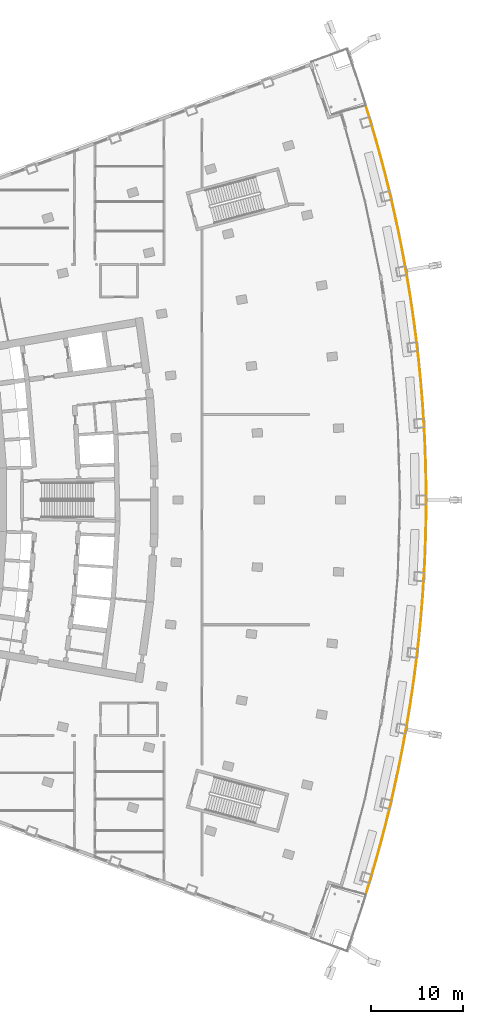
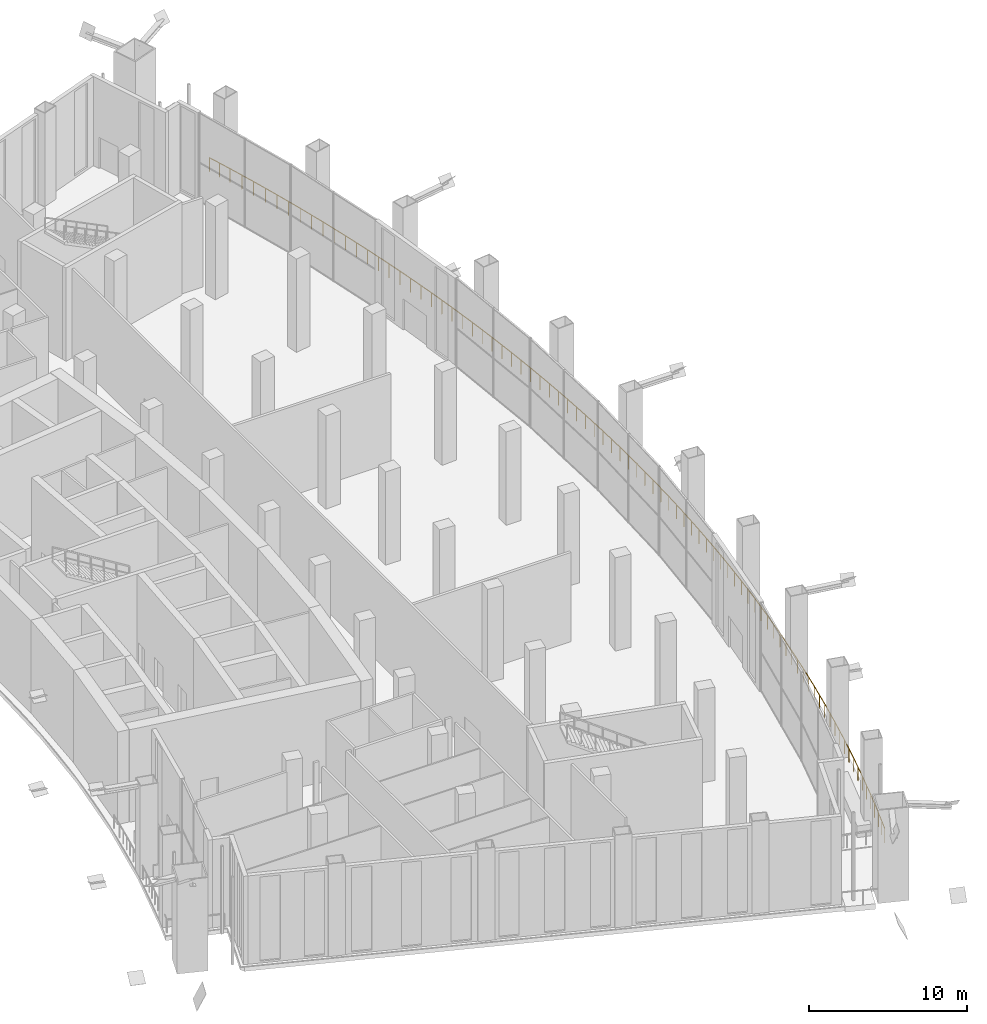
# One storey, part 25 of 27: 1 railing.
"""IFC4 building model written with IfcOpenShell, lengths in metres."""

from ifc_helpers import new_model, si_unit, direction, frame, origin, origin_2d, place, context, subcontext, project, spatial, rectangle, extrude, material, type_object, element, save


model = new_model("IFC4")

# Units and contexts
model_context = context("Model", 3, precision=1e-05, world=origin(), true_north=direction((0.0, 1.0)))
body_context = subcontext(model_context, "Body", "Model", "MODEL_VIEW")
ifc_project = project(units=[si_unit("LENGTHUNIT", "METRE"), si_unit("AREAUNIT", "SQUARE_METRE"), si_unit("VOLUMEUNIT", "CUBIC_METRE"), si_unit("PLANEANGLEUNIT", "RADIAN"), si_unit("MASSUNIT", "GRAM", prefix="KILO")], contexts=[model_context])

# Site, building, storey
site_placement = place(None, origin())
site = spatial("IfcSite", under=ifc_project, at=site_placement, CompositionType="ELEMENT")
building_placement = place(site_placement, origin())
building = spatial("IfcBuilding", under=site, at=building_placement, Name="Alderwake Tower", CompositionType="ELEMENT")
storey_placement = place(building_placement, frame((0.0, 0.0, 75.199951171875)))
storey = spatial("IfcBuildingStorey", under=building, at=storey_placement, Name="L18", CompositionType="ELEMENT", Elevation=75.199951171875)

# Railing
ifc_material = material(Name="Stainless steel 316 rail and posts", Category="steel")
railing_type = type_object("IfcRailingType", Name="Balcony guard 1100", PredefinedType="GUARDRAIL", material=ifc_material)
railing_placement = place(storey_placement, frame((56.102783203125, 18.279296875, 0.0)))
element("IfcRailing", 1, at=railing_placement, inside=storey, type_object=railing_type, Name="Guard garden terrace front", PredefinedType="GUARDRAIL", context=body_context, shape_type="SweptSolid", body=[
    extrude(rectangle(XDim=0.048095703125, YDim=0.048095703125, at=origin_2d()), frame((0.0, 0.0, 1.076171875), z_axis=(0.293469050431, 0.955968575027, 0.0), x_axis=(-0.955968575027, 0.293469050431, 0.0)), (0.0, 0.0, 1.0), 1.7802734375),
    extrude(rectangle(XDim=0.048095703125, YDim=0.048095703125, at=origin_2d()), frame((0.5224609375, 1.701904296875, 1.076171875), z_axis=(0.28062188666, 0.959818397785, 0.0), x_axis=(-0.959818397785, 0.28062188666, 0.0)), (0.0, 0.0, 1.0), 2.080078125),
    extrude(rectangle(XDim=0.048095703125, YDim=0.048095703125, at=origin_2d()), frame((1.106201171875, 3.698486328125, 1.076171875), z_axis=(0.266511831288, 0.963831647013, 0.0), x_axis=(-0.963831647013, 0.266511831288, 0.0)), (0.0, 0.0, 1.0), 2.080322265625),
    extrude(rectangle(XDim=0.048095703125, YDim=0.048095703125, at=origin_2d()), frame((1.66064453125, 5.70361328125, 1.076171875), z_axis=(0.252436229288, 0.967613533464, 0.0), x_axis=(-0.967613533464, 0.252436229288, 0.0)), (0.0, 0.0, 1.0), 2.080322265625),
    extrude(rectangle(XDim=0.048095703125, YDim=0.048095703125, at=origin_2d()), frame((2.185791015625, 7.716552734375, 1.076171875), z_axis=(0.238252859414, 0.971203158449, 0.0), x_axis=(-0.971203158449, 0.238252859414, 0.0)), (0.0, 0.0, 1.0), 2.080078125),
    extrude(rectangle(XDim=0.048095703125, YDim=0.048095703125, at=origin_2d()), frame((2.681396484375, 9.73681640625, 1.076171875), z_axis=(0.224130975338, 0.974559031508, 0.0), x_axis=(-0.974559031508, 0.224130975338, 0.0)), (0.0, 0.0, 1.0), 2.08056640625),
    extrude(rectangle(XDim=0.048095703125, YDim=0.048095703125, at=origin_2d()), frame((3.147705078125, 11.764404296875, 1.076171875), z_axis=(0.209977941774, 0.97770612352, 0.0), x_axis=(-0.97770612352, 0.209977941774, 0.0)), (0.0, 0.0, 1.0), 2.080078125),
    extrude(rectangle(XDim=0.048095703125, YDim=0.048095703125, at=origin_2d()), frame((3.58447265625, 13.798095703125, 1.076171875), z_axis=(0.195506774748, 0.980702350883, 0.0), x_axis=(-0.980702350883, 0.195506774748, 0.0)), (0.0, 0.0, 1.0), 2.080322265625),
    extrude(rectangle(XDim=0.048095703125, YDim=0.048095703125, at=origin_2d()), frame((3.9912109375, 15.83837890625, 1.076171875), z_axis=(0.181311772603, 0.983425666289, 0.0), x_axis=(-0.983425666289, 0.181311772603, 0.0)), (0.0, 0.0, 1.0), 2.080322265625),
    extrude(rectangle(XDim=0.048095703125, YDim=0.048095703125, at=origin_2d()), frame((4.368408203125, 17.88427734375, 1.076171875), z_axis=(0.167005746619, 0.985955922238, 0.0), x_axis=(-0.985955922238, 0.167005746619, 0.0)), (0.0, 0.0, 1.0), 2.080322265625),
    extrude(rectangle(XDim=0.048095703125, YDim=0.048095703125, at=origin_2d()), frame((4.7158203125, 19.935302734375, 1.076171875), z_axis=(0.15245403401, 0.98831056228, 0.0), x_axis=(-0.98831056228, 0.15245403401, 0.0)), (0.0, 0.0, 1.0), 2.080322265625),
    extrude(rectangle(XDim=0.048095703125, YDim=0.048095703125, at=origin_2d()), frame((5.032958984375, 21.9912109375, 1.076171875), z_axis=(0.138134455783, 0.990413485432, 0.0), x_axis=(-0.990413485432, 0.138134455783, 0.0)), (0.0, 0.0, 1.0), 2.080322265625),
    extrude(rectangle(XDim=0.048095703125, YDim=0.048095703125, at=origin_2d()), frame((5.3203125, 24.051513671875, 1.076171875), z_axis=(0.12368808984, 0.992321145815, 0.0), x_axis=(-0.992321145815, 0.12368808984, 0.0)), (0.0, 0.0, 1.0), 2.080322265625),
    extrude(rectangle(XDim=0.048095703125, YDim=0.048095703125, at=origin_2d()), frame((5.57763671875, 26.115966796875, 1.076171875), z_axis=(0.10914335285, 0.994026020046, 0.0), x_axis=(-0.994026020046, 0.10914335285, 0.0)), (0.0, 0.0, 1.0), 2.080322265625),
    extrude(rectangle(XDim=0.048095703125, YDim=0.048095703125, at=origin_2d()), frame((5.8046875, 28.183837890625, 1.076171875), z_axis=(0.094598619329, 0.995515495219, 0.0), x_axis=(-0.995515495219, 0.094598619329, 0.0)), (0.0, 0.0, 1.0), 2.080078125),
    extrude(rectangle(XDim=0.048095703125, YDim=0.048095703125, at=origin_2d()), frame((6.00146484375, 30.254638671875, 1.076171875), z_axis=(0.080151001494, 0.996782733077, 0.0), x_axis=(-0.996782733077, 0.080151001494, 0.0)), (0.0, 0.0, 1.0), 2.080322265625),
    extrude(rectangle(XDim=0.048095703125, YDim=0.048095703125, at=origin_2d()), frame((6.168212890625, 32.328369140625, 1.076171875), z_axis=(0.065599896259, 0.997846006962, 0.0), x_axis=(-0.997846006962, 0.065599896259, 0.0)), (0.0, 0.0, 1.0), 2.080322265625),
    extrude(rectangle(XDim=0.048095703125, YDim=0.048095703125, at=origin_2d()), frame((6.3046875, 34.404296875, 1.076171875), z_axis=(0.050938603292, 0.998701786668, 0.0), x_axis=(-0.998701786668, 0.050938603292, 0.0)), (0.0, 0.0, 1.0), 2.080078125),
    extrude(rectangle(XDim=0.048095703125, YDim=0.048095703125, at=origin_2d()), frame((6.41064453125, 36.481689453125, 1.076171875), z_axis=(0.036495164514, 0.999333829592, 0.0), x_axis=(-0.999333829592, 0.036495164514, 0.0)), (0.0, 0.0, 1.0), 2.08056640625),
    extrude(rectangle(XDim=0.048095703125, YDim=0.048095703125, at=origin_2d()), frame((6.486572265625, 38.560791015625, 1.076171875), z_axis=(0.02182834633, 0.999761733263, 0.0), x_axis=(-0.999761733263, 0.02182834633, 0.0)), (0.0, 0.0, 1.0), 2.080322265625),
    extrude(rectangle(XDim=0.048095703125, YDim=0.048095703125, at=origin_2d()), frame((6.531982421875, 40.640625, 1.076171875), z_axis=(0.007276802637, 0.999973523721, 0.0), x_axis=(-0.999973523721, 0.007276802637, 0.0)), (0.0, 0.0, 1.0), 2.080078125),
    extrude(rectangle(XDim=0.048095703125, YDim=0.048095703125, at=origin_2d()), frame((6.547119140625, 42.720703125, 1.076171875), z_axis=(-0.007276802637, 0.999973523721, 0.0), x_axis=(-0.999973523721, -0.007276802637, 0.0)), (0.0, 0.0, 1.0), 2.080078125),
    extrude(rectangle(XDim=0.048095703125, YDim=0.048095703125, at=origin_2d()), frame((6.531982421875, 44.80078125, 1.076171875), z_axis=(-0.02182834633, 0.999761733263, 0.0), x_axis=(-0.999761733263, -0.02182834633, 0.0)), (0.0, 0.0, 1.0), 2.080322265625),
    extrude(rectangle(XDim=0.048095703125, YDim=0.048095703125, at=origin_2d()), frame((6.486572265625, 46.880615234375, 1.076171875), z_axis=(-0.036495164514, 0.999333829592, 0.0), x_axis=(-0.999333829592, -0.036495164514, 0.0)), (0.0, 0.0, 1.0), 2.08056640625),
    extrude(rectangle(XDim=0.048095703125, YDim=0.048095703125, at=origin_2d()), frame((6.41064453125, 48.959716796875, 1.076171875), z_axis=(-0.050938603292, 0.998701786668, 0.0), x_axis=(-0.998701786668, -0.050938603292, 0.0)), (0.0, 0.0, 1.0), 2.080078125),
    extrude(rectangle(XDim=0.048095703125, YDim=0.048095703125, at=origin_2d()), frame((6.3046875, 51.037109375, 1.076171875), z_axis=(-0.065599896259, 0.997846006962, 0.0), x_axis=(-0.997846006962, -0.065599896259, 0.0)), (0.0, 0.0, 1.0), 2.080322265625),
    extrude(rectangle(XDim=0.048095703125, YDim=0.048095703125, at=origin_2d()), frame((6.168212890625, 53.113037109375, 1.076171875), z_axis=(-0.080151001494, 0.996782733077, 0.0), x_axis=(-0.996782733077, -0.080151001494, 0.0)), (0.0, 0.0, 1.0), 2.080322265625),
    extrude(rectangle(XDim=0.048095703125, YDim=0.048095703125, at=origin_2d()), frame((6.00146484375, 55.186767578125, 1.076171875), z_axis=(-0.094598619329, 0.995515495219, 0.0), x_axis=(-0.995515495219, -0.094598619329, 0.0)), (0.0, 0.0, 1.0), 2.080078125),
    extrude(rectangle(XDim=0.048095703125, YDim=0.048095703125, at=origin_2d()), frame((5.8046875, 57.257568359375, 1.076171875), z_axis=(-0.10914335285, 0.994026020046, 0.0), x_axis=(-0.994026020046, -0.10914335285, 0.0)), (0.0, 0.0, 1.0), 2.080322265625),
    extrude(rectangle(XDim=0.048095703125, YDim=0.048095703125, at=origin_2d()), frame((5.57763671875, 59.325439453125, 1.076171875), z_axis=(-0.12368808984, 0.992321145815, 0.0), x_axis=(-0.992321145815, -0.12368808984, 0.0)), (0.0, 0.0, 1.0), 2.080322265625),
    extrude(rectangle(XDim=0.048095703125, YDim=0.048095703125, at=origin_2d()), frame((5.3203125, 61.389892578125, 1.076171875), z_axis=(-0.138134455783, 0.990413485432, 0.0), x_axis=(-0.990413485432, -0.138134455783, 0.0)), (0.0, 0.0, 1.0), 2.080322265625),
    extrude(rectangle(XDim=0.048095703125, YDim=0.048095703125, at=origin_2d()), frame((5.032958984375, 63.4501953125, 1.076171875), z_axis=(-0.15245403401, 0.98831056228, 0.0), x_axis=(-0.98831056228, -0.15245403401, 0.0)), (0.0, 0.0, 1.0), 2.080322265625),
    extrude(rectangle(XDim=0.048095703125, YDim=0.048095703125, at=origin_2d()), frame((4.7158203125, 65.506103515625, 1.076171875), z_axis=(-0.167005746619, 0.985955922238, 0.0), x_axis=(-0.985955922238, -0.167005746619, 0.0)), (0.0, 0.0, 1.0), 2.080322265625),
    extrude(rectangle(XDim=0.048095703125, YDim=0.048095703125, at=origin_2d()), frame((4.368408203125, 67.55712890625, 1.076171875), z_axis=(-0.181311772603, 0.983425666289, 0.0), x_axis=(-0.983425666289, -0.181311772603, 0.0)), (0.0, 0.0, 1.0), 2.080322265625),
    extrude(rectangle(XDim=0.048095703125, YDim=0.048095703125, at=origin_2d()), frame((3.9912109375, 69.60302734375, 1.076171875), z_axis=(-0.195506774748, 0.980702350883, 0.0), x_axis=(-0.980702350883, -0.195506774748, 0.0)), (0.0, 0.0, 1.0), 2.080322265625),
    extrude(rectangle(XDim=0.048095703125, YDim=0.048095703125, at=origin_2d()), frame((3.58447265625, 71.643310546875, 1.076171875), z_axis=(-0.209977941774, 0.97770612352, 0.0), x_axis=(-0.97770612352, -0.209977941774, 0.0)), (0.0, 0.0, 1.0), 2.080078125),
    extrude(rectangle(XDim=0.048095703125, YDim=0.048095703125, at=origin_2d()), frame((3.147705078125, 73.677001953125, 1.076171875), z_axis=(-0.224130975338, 0.974559031508, 0.0), x_axis=(-0.974559031508, -0.224130975338, 0.0)), (0.0, 0.0, 1.0), 2.08056640625),
    extrude(rectangle(XDim=0.048095703125, YDim=0.048095703125, at=origin_2d()), frame((2.681396484375, 75.70458984375, 1.076171875), z_axis=(-0.238252859414, 0.971203158449, 0.0), x_axis=(-0.971203158449, -0.238252859414, 0.0)), (0.0, 0.0, 1.0), 2.080078125),
    extrude(rectangle(XDim=0.048095703125, YDim=0.048095703125, at=origin_2d()), frame((2.185791015625, 77.724853515625, 1.076171875), z_axis=(-0.252436229288, 0.967613533464, 0.0), x_axis=(-0.967613533464, -0.252436229288, 0.0)), (0.0, 0.0, 1.0), 2.080322265625),
    extrude(rectangle(XDim=0.048095703125, YDim=0.048095703125, at=origin_2d()), frame((1.66064453125, 79.73779296875, 1.076171875), z_axis=(-0.266511831288, 0.963831647013, 0.0), x_axis=(-0.963831647013, -0.266511831288, 0.0)), (0.0, 0.0, 1.0), 2.080322265625),
    extrude(rectangle(XDim=0.048095703125, YDim=0.048095703125, at=origin_2d()), frame((1.106201171875, 81.742919921875, 1.076171875), z_axis=(-0.28062188666, 0.959818397785, 0.0), x_axis=(-0.959818397785, -0.28062188666, 0.0)), (0.0, 0.0, 1.0), 2.080078125),
    extrude(rectangle(XDim=0.048095703125, YDim=0.048095703125, at=origin_2d()), frame((0.5224609375, 83.739501953125, 1.076171875), z_axis=(-0.293469050431, 0.955968575027, 0.0), x_axis=(-0.955968575027, -0.293469050431, 0.0)), (0.0, 0.0, 1.0), 1.7802734375),
    extrude(rectangle(XDim=0.0419921875, YDim=0.0419921875, at=origin_2d()), frame((0.0, 0.0, 0.0), z_axis=(0.0, 0.0, 1.0), x_axis=(0.293469050431, 0.955968575027, 0.0)), (0.0, 0.0, 1.0), 1.052001953125),
    extrude(rectangle(XDim=0.0419921875, YDim=0.0419921875, at=origin_2d()), frame((0.26123046875, 0.85107421875, 0.0), z_axis=(0.0, 0.0, 1.0), x_axis=(0.293469050431, 0.955968575027, 0.0)), (0.0, 0.0, 1.0), 1.052001953125),
    extrude(rectangle(XDim=0.0419921875, YDim=0.0419921875, at=origin_2d()), frame((0.5224609375, 1.701904296875, 0.0), z_axis=(0.0, 0.0, 1.0), x_axis=(0.28062188666, 0.959818397785, 0.0)), (0.0, 0.0, 1.0), 1.052001953125),
    extrude(rectangle(XDim=0.0419921875, YDim=0.0419921875, at=origin_2d()), frame((0.814453125, 2.7001953125, 0.0), z_axis=(0.0, 0.0, 1.0), x_axis=(0.28062188666, 0.959818397785, 0.0)), (0.0, 0.0, 1.0), 1.052001953125),
    extrude(rectangle(XDim=0.0419921875, YDim=0.0419921875, at=origin_2d()), frame((1.106201171875, 3.698486328125, 0.0), z_axis=(0.0, 0.0, 1.0), x_axis=(0.266511831288, 0.963831647013, 0.0)), (0.0, 0.0, 1.0), 1.052001953125),
    extrude(rectangle(XDim=0.0419921875, YDim=0.0419921875, at=origin_2d()), frame((1.38330078125, 4.701171875, 0.0), z_axis=(0.0, 0.0, 1.0), x_axis=(0.266511831288, 0.963831647013, 0.0)), (0.0, 0.0, 1.0), 1.052001953125),
    extrude(rectangle(XDim=0.0419921875, YDim=0.0419921875, at=origin_2d()), frame((1.66064453125, 5.70361328125, 0.0), z_axis=(0.0, 0.0, 1.0), x_axis=(0.252436229288, 0.967613533464, 0.0)), (0.0, 0.0, 1.0), 1.052001953125),
    extrude(rectangle(XDim=0.0419921875, YDim=0.0419921875, at=origin_2d()), frame((1.92333984375, 6.7099609375, 0.0), z_axis=(0.0, 0.0, 1.0), x_axis=(0.252436229288, 0.967613533464, 0.0)), (0.0, 0.0, 1.0), 1.052001953125),
    extrude(rectangle(XDim=0.0419921875, YDim=0.0419921875, at=origin_2d()), frame((2.185791015625, 7.716552734375, 0.0), z_axis=(0.0, 0.0, 1.0), x_axis=(0.238252859414, 0.971203158449, 0.0)), (0.0, 0.0, 1.0), 1.052001953125),
    extrude(rectangle(XDim=0.0419921875, YDim=0.0419921875, at=origin_2d()), frame((2.43359375, 8.7265625, 0.0), z_axis=(0.0, 0.0, 1.0), x_axis=(0.238252859414, 0.971203158449, 0.0)), (0.0, 0.0, 1.0), 1.052001953125),
    extrude(rectangle(XDim=0.0419921875, YDim=0.0419921875, at=origin_2d()), frame((2.681396484375, 9.73681640625, 0.0), z_axis=(0.0, 0.0, 1.0), x_axis=(0.224130975338, 0.974559031508, 0.0)), (0.0, 0.0, 1.0), 1.052001953125),
    extrude(rectangle(XDim=0.0419921875, YDim=0.0419921875, at=origin_2d()), frame((2.91455078125, 10.75048828125, 0.0), z_axis=(0.0, 0.0, 1.0), x_axis=(0.224130975338, 0.974559031508, 0.0)), (0.0, 0.0, 1.0), 1.052001953125),
    extrude(rectangle(XDim=0.0419921875, YDim=0.0419921875, at=origin_2d()), frame((3.147705078125, 11.764404296875, 0.0), z_axis=(0.0, 0.0, 1.0), x_axis=(0.209977941774, 0.97770612352, 0.0)), (0.0, 0.0, 1.0), 1.052001953125),
    extrude(rectangle(XDim=0.0419921875, YDim=0.0419921875, at=origin_2d()), frame((3.3662109375, 12.78125, 0.0), z_axis=(0.0, 0.0, 1.0), x_axis=(0.209977941774, 0.97770612352, 0.0)), (0.0, 0.0, 1.0), 1.052001953125),
    extrude(rectangle(XDim=0.0419921875, YDim=0.0419921875, at=origin_2d()), frame((3.58447265625, 13.798095703125, 0.0), z_axis=(0.0, 0.0, 1.0), x_axis=(0.195506774748, 0.980702350883, 0.0)), (0.0, 0.0, 1.0), 1.052001953125),
    extrude(rectangle(XDim=0.0419921875, YDim=0.0419921875, at=origin_2d()), frame((3.787841796875, 14.818359375, 0.0), z_axis=(0.0, 0.0, 1.0), x_axis=(0.195506774748, 0.980702350883, 0.0)), (0.0, 0.0, 1.0), 1.052001953125),
    extrude(rectangle(XDim=0.0419921875, YDim=0.0419921875, at=origin_2d()), frame((3.9912109375, 15.83837890625, 0.0), z_axis=(0.0, 0.0, 1.0), x_axis=(0.181311772603, 0.983425666289, 0.0)), (0.0, 0.0, 1.0), 1.052001953125),
    extrude(rectangle(XDim=0.0419921875, YDim=0.0419921875, at=origin_2d()), frame((4.1796875, 16.861328125, 0.0), z_axis=(0.0, 0.0, 1.0), x_axis=(0.181311772603, 0.983425666289, 0.0)), (0.0, 0.0, 1.0), 1.052001953125),
    extrude(rectangle(XDim=0.0419921875, YDim=0.0419921875, at=origin_2d()), frame((4.368408203125, 17.88427734375, 0.0), z_axis=(0.0, 0.0, 1.0), x_axis=(0.167005746619, 0.985955922238, 0.0)), (0.0, 0.0, 1.0), 1.052001953125),
    extrude(rectangle(XDim=0.0419921875, YDim=0.0419921875, at=origin_2d()), frame((4.5419921875, 18.90966796875, 0.0), z_axis=(0.0, 0.0, 1.0), x_axis=(0.167005746619, 0.985955922238, 0.0)), (0.0, 0.0, 1.0), 1.052001953125),
    extrude(rectangle(XDim=0.0419921875, YDim=0.0419921875, at=origin_2d()), frame((4.7158203125, 19.935302734375, 0.0), z_axis=(0.0, 0.0, 1.0), x_axis=(0.15245403401, 0.98831056228, 0.0)), (0.0, 0.0, 1.0), 1.052001953125),
    extrude(rectangle(XDim=0.0419921875, YDim=0.0419921875, at=origin_2d()), frame((4.87451171875, 20.96337890625, 0.0), z_axis=(0.0, 0.0, 1.0), x_axis=(0.15245403401, 0.98831056228, 0.0)), (0.0, 0.0, 1.0), 1.052001953125),
    extrude(rectangle(XDim=0.0419921875, YDim=0.0419921875, at=origin_2d()), frame((5.032958984375, 21.9912109375, 0.0), z_axis=(0.0, 0.0, 1.0), x_axis=(0.138134455783, 0.990413485432, 0.0)), (0.0, 0.0, 1.0), 1.052001953125),
    extrude(rectangle(XDim=0.0419921875, YDim=0.0419921875, at=origin_2d()), frame((5.1767578125, 23.021484375, 0.0), z_axis=(0.0, 0.0, 1.0), x_axis=(0.138134455783, 0.990413485432, 0.0)), (0.0, 0.0, 1.0), 1.052001953125),
    extrude(rectangle(XDim=0.0419921875, YDim=0.0419921875, at=origin_2d()), frame((5.3203125, 24.051513671875, 0.0), z_axis=(0.0, 0.0, 1.0), x_axis=(0.12368808984, 0.992321145815, 0.0)), (0.0, 0.0, 1.0), 1.052001953125),
    extrude(rectangle(XDim=0.0419921875, YDim=0.0419921875, at=origin_2d()), frame((5.448974609375, 25.083740234375, 0.0), z_axis=(0.0, 0.0, 1.0), x_axis=(0.12368808984, 0.992321145815, 0.0)), (0.0, 0.0, 1.0), 1.052001953125),
    extrude(rectangle(XDim=0.0419921875, YDim=0.0419921875, at=origin_2d()), frame((5.57763671875, 26.115966796875, 0.0), z_axis=(0.0, 0.0, 1.0), x_axis=(0.10914335285, 0.994026020046, 0.0)), (0.0, 0.0, 1.0), 1.052001953125),
    extrude(rectangle(XDim=0.0419921875, YDim=0.0419921875, at=origin_2d()), frame((5.691162109375, 27.14990234375, 0.0), z_axis=(0.0, 0.0, 1.0), x_axis=(0.10914335285, 0.994026020046, 0.0)), (0.0, 0.0, 1.0), 1.052001953125),
    extrude(rectangle(XDim=0.0419921875, YDim=0.0419921875, at=origin_2d()), frame((5.8046875, 28.183837890625, 0.0), z_axis=(0.0, 0.0, 1.0), x_axis=(0.094598619329, 0.995515495219, 0.0)), (0.0, 0.0, 1.0), 1.052001953125),
    extrude(rectangle(XDim=0.0419921875, YDim=0.0419921875, at=origin_2d()), frame((5.903076171875, 29.21923828125, 0.0), z_axis=(0.0, 0.0, 1.0), x_axis=(0.094598619329, 0.995515495219, 0.0)), (0.0, 0.0, 1.0), 1.052001953125),
    extrude(rectangle(XDim=0.0419921875, YDim=0.0419921875, at=origin_2d()), frame((6.00146484375, 30.254638671875, 0.0), z_axis=(0.0, 0.0, 1.0), x_axis=(0.080151001494, 0.996782733077, 0.0)), (0.0, 0.0, 1.0), 1.052001953125),
    extrude(rectangle(XDim=0.0419921875, YDim=0.0419921875, at=origin_2d()), frame((6.0849609375, 31.29150390625, 0.0), z_axis=(0.0, 0.0, 1.0), x_axis=(0.080151001494, 0.996782733077, 0.0)), (0.0, 0.0, 1.0), 1.052001953125),
    extrude(rectangle(XDim=0.0419921875, YDim=0.0419921875, at=origin_2d()), frame((6.168212890625, 32.328369140625, 0.0), z_axis=(0.0, 0.0, 1.0), x_axis=(0.065599896259, 0.997846006962, 0.0)), (0.0, 0.0, 1.0), 1.052001953125),
    extrude(rectangle(XDim=0.0419921875, YDim=0.0419921875, at=origin_2d()), frame((6.236328125, 33.3662109375, 0.0), z_axis=(0.0, 0.0, 1.0), x_axis=(0.065599896259, 0.997846006962, 0.0)), (0.0, 0.0, 1.0), 1.052001953125),
    extrude(rectangle(XDim=0.0419921875, YDim=0.0419921875, at=origin_2d()), frame((6.3046875, 34.404296875, 0.0), z_axis=(0.0, 0.0, 1.0), x_axis=(0.050938603292, 0.998701786668, 0.0)), (0.0, 0.0, 1.0), 1.052001953125),
    extrude(rectangle(XDim=0.0419921875, YDim=0.0419921875, at=origin_2d()), frame((6.357666015625, 35.44287109375, 0.0), z_axis=(0.0, 0.0, 1.0), x_axis=(0.050938603292, 0.998701786668, 0.0)), (0.0, 0.0, 1.0), 1.052001953125),
    extrude(rectangle(XDim=0.0419921875, YDim=0.0419921875, at=origin_2d()), frame((6.41064453125, 36.481689453125, 0.0), z_axis=(0.0, 0.0, 1.0), x_axis=(0.036495164514, 0.999333829592, 0.0)), (0.0, 0.0, 1.0), 1.052001953125),
    extrude(rectangle(XDim=0.0419921875, YDim=0.0419921875, at=origin_2d()), frame((6.44873046875, 37.521240234375, 0.0), z_axis=(0.0, 0.0, 1.0), x_axis=(0.036495164514, 0.999333829592, 0.0)), (0.0, 0.0, 1.0), 1.052001953125),
    extrude(rectangle(XDim=0.0419921875, YDim=0.0419921875, at=origin_2d()), frame((6.486572265625, 38.560791015625, 0.0), z_axis=(0.0, 0.0, 1.0), x_axis=(0.02182834633, 0.999761733263, 0.0)), (0.0, 0.0, 1.0), 1.052001953125),
    extrude(rectangle(XDim=0.0419921875, YDim=0.0419921875, at=origin_2d()), frame((6.50927734375, 39.6005859375, 0.0), z_axis=(0.0, 0.0, 1.0), x_axis=(0.02182834633, 0.999761733263, 0.0)), (0.0, 0.0, 1.0), 1.052001953125),
    extrude(rectangle(XDim=0.0419921875, YDim=0.0419921875, at=origin_2d()), frame((6.531982421875, 40.640625, 0.0), z_axis=(0.0, 0.0, 1.0), x_axis=(0.007276802637, 0.999973523721, 0.0)), (0.0, 0.0, 1.0), 1.052001953125),
    extrude(rectangle(XDim=0.0419921875, YDim=0.0419921875, at=origin_2d()), frame((6.53955078125, 41.6806640625, 0.0), z_axis=(0.0, 0.0, 1.0), x_axis=(0.007276802637, 0.999973523721, 0.0)), (0.0, 0.0, 1.0), 1.052001953125),
    extrude(rectangle(XDim=0.0419921875, YDim=0.0419921875, at=origin_2d()), frame((6.547119140625, 42.720703125, 0.0), z_axis=(0.0, 0.0, 1.0), x_axis=(-0.007276802637, 0.999973523721, 0.0)), (0.0, 0.0, 1.0), 1.052001953125),
    extrude(rectangle(XDim=0.0419921875, YDim=0.0419921875, at=origin_2d()), frame((6.53955078125, 43.7607421875, 0.0), z_axis=(0.0, 0.0, 1.0), x_axis=(-0.007276802637, 0.999973523721, 0.0)), (0.0, 0.0, 1.0), 1.052001953125),
    extrude(rectangle(XDim=0.0419921875, YDim=0.0419921875, at=origin_2d()), frame((6.531982421875, 44.80078125, 0.0), z_axis=(0.0, 0.0, 1.0), x_axis=(-0.02182834633, 0.999761733263, 0.0)), (0.0, 0.0, 1.0), 1.052001953125),
    extrude(rectangle(XDim=0.0419921875, YDim=0.0419921875, at=origin_2d()), frame((6.50927734375, 45.8408203125, 0.0), z_axis=(0.0, 0.0, 1.0), x_axis=(-0.02182834633, 0.999761733263, 0.0)), (0.0, 0.0, 1.0), 1.052001953125),
    extrude(rectangle(XDim=0.0419921875, YDim=0.0419921875, at=origin_2d()), frame((6.486572265625, 46.880615234375, 0.0), z_axis=(0.0, 0.0, 1.0), x_axis=(-0.036495164514, 0.999333829592, 0.0)), (0.0, 0.0, 1.0), 1.052001953125),
    extrude(rectangle(XDim=0.0419921875, YDim=0.0419921875, at=origin_2d()), frame((6.44873046875, 47.920166015625, 0.0), z_axis=(0.0, 0.0, 1.0), x_axis=(-0.036495164514, 0.999333829592, 0.0)), (0.0, 0.0, 1.0), 1.052001953125),
    extrude(rectangle(XDim=0.0419921875, YDim=0.0419921875, at=origin_2d()), frame((6.41064453125, 48.959716796875, 0.0), z_axis=(0.0, 0.0, 1.0), x_axis=(-0.050938603292, 0.998701786668, 0.0)), (0.0, 0.0, 1.0), 1.052001953125),
    extrude(rectangle(XDim=0.0419921875, YDim=0.0419921875, at=origin_2d()), frame((6.357666015625, 49.99853515625, 0.0), z_axis=(0.0, 0.0, 1.0), x_axis=(-0.050938603292, 0.998701786668, 0.0)), (0.0, 0.0, 1.0), 1.052001953125),
    extrude(rectangle(XDim=0.0419921875, YDim=0.0419921875, at=origin_2d()), frame((6.3046875, 51.037109375, 0.0), z_axis=(0.0, 0.0, 1.0), x_axis=(-0.065599896259, 0.997846006962, 0.0)), (0.0, 0.0, 1.0), 1.052001953125),
    extrude(rectangle(XDim=0.0419921875, YDim=0.0419921875, at=origin_2d()), frame((6.236328125, 52.0751953125, 0.0), z_axis=(0.0, 0.0, 1.0), x_axis=(-0.065599896259, 0.997846006962, 0.0)), (0.0, 0.0, 1.0), 1.052001953125),
    extrude(rectangle(XDim=0.0419921875, YDim=0.0419921875, at=origin_2d()), frame((6.168212890625, 53.113037109375, 0.0), z_axis=(0.0, 0.0, 1.0), x_axis=(-0.080151001494, 0.996782733077, 0.0)), (0.0, 0.0, 1.0), 1.052001953125),
    extrude(rectangle(XDim=0.0419921875, YDim=0.0419921875, at=origin_2d()), frame((6.0849609375, 54.14990234375, 0.0), z_axis=(0.0, 0.0, 1.0), x_axis=(-0.080151001494, 0.996782733077, 0.0)), (0.0, 0.0, 1.0), 1.052001953125),
    extrude(rectangle(XDim=0.0419921875, YDim=0.0419921875, at=origin_2d()), frame((6.00146484375, 55.186767578125, 0.0), z_axis=(0.0, 0.0, 1.0), x_axis=(-0.094598619329, 0.995515495219, 0.0)), (0.0, 0.0, 1.0), 1.052001953125),
    extrude(rectangle(XDim=0.0419921875, YDim=0.0419921875, at=origin_2d()), frame((5.903076171875, 56.22216796875, 0.0), z_axis=(0.0, 0.0, 1.0), x_axis=(-0.094598619329, 0.995515495219, 0.0)), (0.0, 0.0, 1.0), 1.052001953125),
    extrude(rectangle(XDim=0.0419921875, YDim=0.0419921875, at=origin_2d()), frame((5.8046875, 57.257568359375, 0.0), z_axis=(0.0, 0.0, 1.0), x_axis=(-0.10914335285, 0.994026020046, 0.0)), (0.0, 0.0, 1.0), 1.052001953125),
    extrude(rectangle(XDim=0.0419921875, YDim=0.0419921875, at=origin_2d()), frame((5.691162109375, 58.29150390625, 0.0), z_axis=(0.0, 0.0, 1.0), x_axis=(-0.10914335285, 0.994026020046, 0.0)), (0.0, 0.0, 1.0), 1.052001953125),
    extrude(rectangle(XDim=0.0419921875, YDim=0.0419921875, at=origin_2d()), frame((5.57763671875, 59.325439453125, 0.0), z_axis=(0.0, 0.0, 1.0), x_axis=(-0.12368808984, 0.992321145815, 0.0)), (0.0, 0.0, 1.0), 1.052001953125),
    extrude(rectangle(XDim=0.0419921875, YDim=0.0419921875, at=origin_2d()), frame((5.448974609375, 60.357666015625, 0.0), z_axis=(0.0, 0.0, 1.0), x_axis=(-0.12368808984, 0.992321145815, 0.0)), (0.0, 0.0, 1.0), 1.052001953125),
    extrude(rectangle(XDim=0.0419921875, YDim=0.0419921875, at=origin_2d()), frame((5.3203125, 61.389892578125, 0.0), z_axis=(0.0, 0.0, 1.0), x_axis=(-0.138134455783, 0.990413485432, 0.0)), (0.0, 0.0, 1.0), 1.052001953125),
    extrude(rectangle(XDim=0.0419921875, YDim=0.0419921875, at=origin_2d()), frame((5.1767578125, 62.419921875, 0.0), z_axis=(0.0, 0.0, 1.0), x_axis=(-0.138134455783, 0.990413485432, 0.0)), (0.0, 0.0, 1.0), 1.052001953125),
    extrude(rectangle(XDim=0.0419921875, YDim=0.0419921875, at=origin_2d()), frame((5.032958984375, 63.4501953125, 0.0), z_axis=(0.0, 0.0, 1.0), x_axis=(-0.15245403401, 0.98831056228, 0.0)), (0.0, 0.0, 1.0), 1.052001953125),
    extrude(rectangle(XDim=0.0419921875, YDim=0.0419921875, at=origin_2d()), frame((4.87451171875, 64.47802734375, 0.0), z_axis=(0.0, 0.0, 1.0), x_axis=(-0.15245403401, 0.98831056228, 0.0)), (0.0, 0.0, 1.0), 1.052001953125),
    extrude(rectangle(XDim=0.0419921875, YDim=0.0419921875, at=origin_2d()), frame((4.7158203125, 65.506103515625, 0.0), z_axis=(0.0, 0.0, 1.0), x_axis=(-0.167005746619, 0.985955922238, 0.0)), (0.0, 0.0, 1.0), 1.052001953125),
    extrude(rectangle(XDim=0.0419921875, YDim=0.0419921875, at=origin_2d()), frame((4.5419921875, 66.53173828125, 0.0), z_axis=(0.0, 0.0, 1.0), x_axis=(-0.167005746619, 0.985955922238, 0.0)), (0.0, 0.0, 1.0), 1.052001953125),
    extrude(rectangle(XDim=0.0419921875, YDim=0.0419921875, at=origin_2d()), frame((4.368408203125, 67.55712890625, 0.0), z_axis=(0.0, 0.0, 1.0), x_axis=(-0.181311772603, 0.983425666289, 0.0)), (0.0, 0.0, 1.0), 1.052001953125),
    extrude(rectangle(XDim=0.0419921875, YDim=0.0419921875, at=origin_2d()), frame((4.1796875, 68.580078125, 0.0), z_axis=(0.0, 0.0, 1.0), x_axis=(-0.181311772603, 0.983425666289, 0.0)), (0.0, 0.0, 1.0), 1.052001953125),
    extrude(rectangle(XDim=0.0419921875, YDim=0.0419921875, at=origin_2d()), frame((3.9912109375, 69.60302734375, 0.0), z_axis=(0.0, 0.0, 1.0), x_axis=(-0.195506774748, 0.980702350883, 0.0)), (0.0, 0.0, 1.0), 1.052001953125),
    extrude(rectangle(XDim=0.0419921875, YDim=0.0419921875, at=origin_2d()), frame((3.787841796875, 70.623046875, 0.0), z_axis=(0.0, 0.0, 1.0), x_axis=(-0.195506774748, 0.980702350883, 0.0)), (0.0, 0.0, 1.0), 1.052001953125),
    extrude(rectangle(XDim=0.0419921875, YDim=0.0419921875, at=origin_2d()), frame((3.58447265625, 71.643310546875, 0.0), z_axis=(0.0, 0.0, 1.0), x_axis=(-0.209977941774, 0.97770612352, 0.0)), (0.0, 0.0, 1.0), 1.052001953125),
    extrude(rectangle(XDim=0.0419921875, YDim=0.0419921875, at=origin_2d()), frame((3.3662109375, 72.66015625, 0.0), z_axis=(0.0, 0.0, 1.0), x_axis=(-0.209977941774, 0.97770612352, 0.0)), (0.0, 0.0, 1.0), 1.052001953125),
    extrude(rectangle(XDim=0.0419921875, YDim=0.0419921875, at=origin_2d()), frame((3.147705078125, 73.677001953125, 0.0), z_axis=(0.0, 0.0, 1.0), x_axis=(-0.224130975338, 0.974559031508, 0.0)), (0.0, 0.0, 1.0), 1.052001953125),
    extrude(rectangle(XDim=0.0419921875, YDim=0.0419921875, at=origin_2d()), frame((2.91455078125, 74.69091796875, 0.0), z_axis=(0.0, 0.0, 1.0), x_axis=(-0.224130975338, 0.974559031508, 0.0)), (0.0, 0.0, 1.0), 1.052001953125),
    extrude(rectangle(XDim=0.0419921875, YDim=0.0419921875, at=origin_2d()), frame((2.681396484375, 75.70458984375, 0.0), z_axis=(0.0, 0.0, 1.0), x_axis=(-0.238252859414, 0.971203158449, 0.0)), (0.0, 0.0, 1.0), 1.052001953125),
    extrude(rectangle(XDim=0.0419921875, YDim=0.0419921875, at=origin_2d()), frame((2.43359375, 76.71484375, 0.0), z_axis=(0.0, 0.0, 1.0), x_axis=(-0.238252859414, 0.971203158449, 0.0)), (0.0, 0.0, 1.0), 1.052001953125),
    extrude(rectangle(XDim=0.0419921875, YDim=0.0419921875, at=origin_2d()), frame((2.185791015625, 77.724853515625, 0.0), z_axis=(0.0, 0.0, 1.0), x_axis=(-0.252436229288, 0.967613533464, 0.0)), (0.0, 0.0, 1.0), 1.052001953125),
    extrude(rectangle(XDim=0.0419921875, YDim=0.0419921875, at=origin_2d()), frame((1.92333984375, 78.7314453125, 0.0), z_axis=(0.0, 0.0, 1.0), x_axis=(-0.252436229288, 0.967613533464, 0.0)), (0.0, 0.0, 1.0), 1.052001953125),
    extrude(rectangle(XDim=0.0419921875, YDim=0.0419921875, at=origin_2d()), frame((1.66064453125, 79.73779296875, 0.0), z_axis=(0.0, 0.0, 1.0), x_axis=(-0.266511831288, 0.963831647013, 0.0)), (0.0, 0.0, 1.0), 1.052001953125),
    extrude(rectangle(XDim=0.0419921875, YDim=0.0419921875, at=origin_2d()), frame((1.38330078125, 80.740234375, 0.0), z_axis=(0.0, 0.0, 1.0), x_axis=(-0.266511831288, 0.963831647013, 0.0)), (0.0, 0.0, 1.0), 1.052001953125),
    extrude(rectangle(XDim=0.0419921875, YDim=0.0419921875, at=origin_2d()), frame((1.106201171875, 81.742919921875, 0.0), z_axis=(0.0, 0.0, 1.0), x_axis=(-0.28062188666, 0.959818397785, 0.0)), (0.0, 0.0, 1.0), 1.052001953125),
    extrude(rectangle(XDim=0.0419921875, YDim=0.0419921875, at=origin_2d()), frame((0.814453125, 82.7412109375, 0.0), z_axis=(0.0, 0.0, 1.0), x_axis=(-0.28062188666, 0.959818397785, 0.0)), (0.0, 0.0, 1.0), 1.052001953125),
    extrude(rectangle(XDim=0.0419921875, YDim=0.0419921875, at=origin_2d()), frame((0.5224609375, 83.739501953125, 0.0), z_axis=(0.0, 0.0, 1.0), x_axis=(-0.293469050431, 0.955968575027, 0.0)), (0.0, 0.0, 1.0), 1.052001953125),
    extrude(rectangle(XDim=0.0419921875, YDim=0.0419921875, at=origin_2d()), frame((0.26123046875, 84.59033203125, 0.0), z_axis=(0.0, 0.0, 1.0), x_axis=(-0.293469050431, 0.955968575027, 0.0)), (0.0, 0.0, 1.0), 1.052001953125),
    extrude(rectangle(XDim=0.0419921875, YDim=0.0419921875, at=origin_2d()), frame((0.0, 85.44140625, 0.0), z_axis=(0.0, 0.0, 1.0), x_axis=(-0.293469050431, 0.955968575027, 0.0)), (0.0, 0.0, 1.0), 1.052001953125),
])

save(model, "model.ifc")
